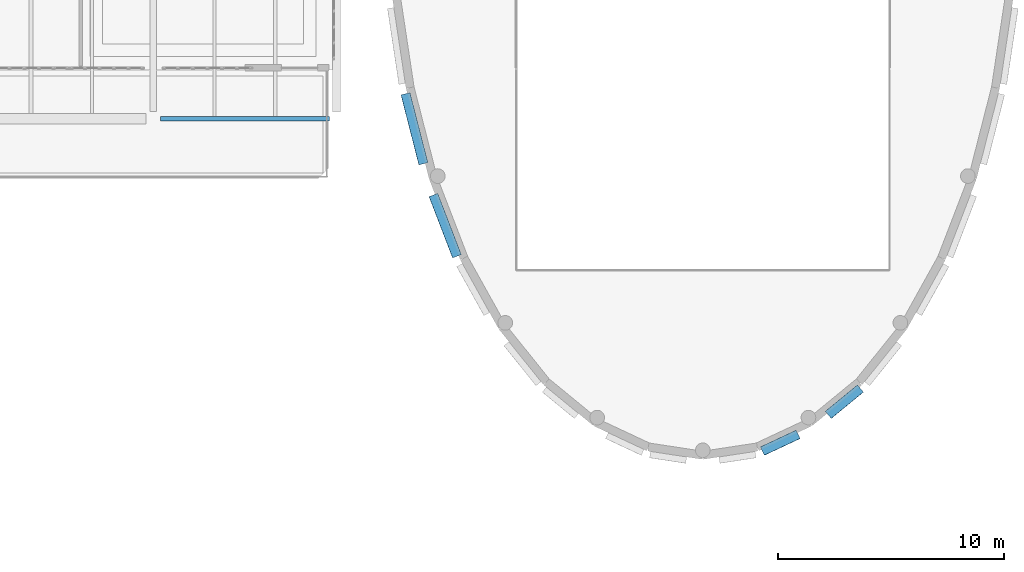
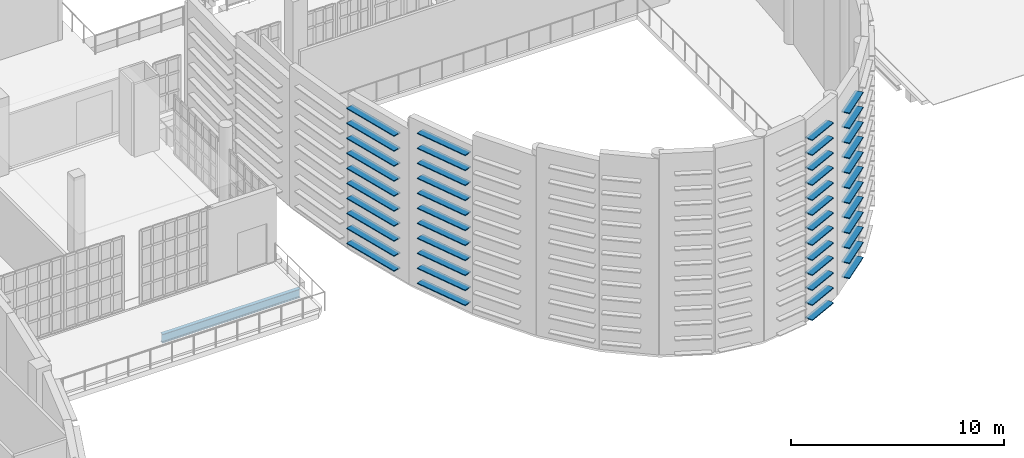
# One storey, part 10 of 73: 46 members, 1 beam.
"""IFC4 building model written with IfcOpenShell, lengths in metres."""

from ifc_helpers import new_model, si_unit, direction, frame, origin, origin_2d, place, context, subcontext, project, spatial, hollow_rectangle, i_section, extrude, material, material_profile, profile_set, type_object, element, save


model = new_model("IFC4")

# Units and contexts
model_context = context("Model", 3, precision=1e-05, world=origin(), true_north=direction((0.0, 1.0)))
body_context = subcontext(model_context, "Body", "Model", "MODEL_VIEW")
ifc_project = project(units=[si_unit("LENGTHUNIT", "METRE"), si_unit("AREAUNIT", "SQUARE_METRE"), si_unit("VOLUMEUNIT", "CUBIC_METRE"), si_unit("PLANEANGLEUNIT", "RADIAN"), si_unit("MASSUNIT", "GRAM", prefix="KILO")], contexts=[model_context])

# Site, building, storey
site_placement = place(None, origin())
site = spatial("IfcSite", under=ifc_project, at=site_placement, CompositionType="ELEMENT")
building_placement = place(site_placement, origin())
building = spatial("IfcBuilding", under=site, at=building_placement, Name="Kaelora Sail Theatre", CompositionType="ELEMENT")
storey_placement = place(building_placement, frame((0.0, 0.0, 10.199951171875)))
storey = spatial("IfcBuildingStorey", under=building, at=storey_placement, Name="L02", CompositionType="ELEMENT", Elevation=10.199951171875)

# Members
ifc_material_1 = material(Name="Anodised aluminium 6063-T6", Category="aluminium")
ifc_material_profile_1 = material_profile(ifc_material_1, hollow_rectangle(XDim=0.419921875, YDim=0.054931640625, WallThickness=0.00390625, InnerFilletRadius=0.00390625, OuterFilletRadius=0.008056640625, at=origin_2d()), Name="LOUVRE 420x55x4")
ifc_profile_set_1 = profile_set([ifc_material_profile_1], Name="Anodised aluminium 6063-T6")
member_type = type_object("IfcMemberType", Name="ARC-MEM-LVR-420", PredefinedType="USERDEFINED", material=ifc_profile_set_1)
for number, where, z_axis, x_axis, name in (
    (1, (97.568359375, 34.21337890625, 0.510009765625), (-0.773004989186, -0.634399942223, 0.0), (0.634399942223, -0.773004989186, 0.0), "Studio Theatre Sail Drum horizontal solar louvre C8-12"),
    (2, (97.568359375, 34.21337890625, 1.3701171875), (-0.773004989186, -0.634399942223, 0.0), (0.634399942223, -0.773004989186, 0.0), "Studio Theatre Sail Drum horizontal solar louvre C8-13"),
    (3, (97.568359375, 34.21337890625, 2.22998046875), (-0.773004989186, -0.634399942223, 0.0), (0.634399942223, -0.773004989186, 0.0), "Studio Theatre Sail Drum horizontal solar louvre C8-14"),
    (4, (97.568359375, 34.21337890625, 3.090087890625), (-0.773004989186, -0.634399942223, 0.0), (0.634399942223, -0.773004989186, 0.0), "Studio Theatre Sail Drum horizontal solar louvre C8-15"),
    (5, (97.568359375, 34.21337890625, 3.949951171875), (-0.773004989186, -0.634399942223, 0.0), (0.634399942223, -0.773004989186, 0.0), "Studio Theatre Sail Drum horizontal solar louvre C8-16"),
    (6, (97.568359375, 34.21337890625, 4.81005859375), (-0.773004989186, -0.634399942223, 0.0), (0.634399942223, -0.773004989186, 0.0), "Studio Theatre Sail Drum horizontal solar louvre C8-17"),
    (7, (97.568359375, 34.21337890625, 5.670166015625), (-0.773004989186, -0.634399942223, 0.0), (0.634399942223, -0.773004989186, 0.0), "Studio Theatre Sail Drum horizontal solar louvre C8-18"),
    (8, (97.568359375, 34.21337890625, 6.530029296875), (-0.773004989186, -0.634399942223, 0.0), (0.634399942223, -0.773004989186, 0.0), "Studio Theatre Sail Drum horizontal solar louvre C8-19"),
    (9, (97.568359375, 34.21337890625, 7.39013671875), (-0.773004989186, -0.634399942223, 0.0), (0.634399942223, -0.773004989186, 0.0), "Studio Theatre Sail Drum horizontal solar louvre C8-20"),
    (10, (97.568359375, 34.21337890625, 8.25), (-0.773004989186, -0.634399942223, 0.0), (0.634399942223, -0.773004989186, 0.0), "Studio Theatre Sail Drum horizontal solar louvre C8-21"),
    (11, (97.568359375, 34.21337890625, 9.110107421875), (-0.773004989186, -0.634399942223, 0.0), (0.634399942223, -0.773004989186, 0.0), "Studio Theatre Sail Drum horizontal solar louvre C8-22"),
    (12, (97.568359375, 34.21337890625, 9.969970703125), (-0.773004989186, -0.634399942223, 0.0), (0.634399942223, -0.773004989186, 0.0), "Studio Theatre Sail Drum horizontal solar louvre C8-23"),
):
    element("IfcMember", number, at=place(storey_placement, frame(where, z_axis=z_axis, x_axis=x_axis)), inside=storey, type_object=member_type, Name=name, ObjectType="LOUVRE", PredefinedType="USERDEFINED", context=body_context, shape_type="SweptSolid", body=[
        extrude(hollow_rectangle(XDim=0.419921875, YDim=0.054931640625, WallThickness=0.00390625, InnerFilletRadius=0.00390625, OuterFilletRadius=0.008056640625, at=origin_2d()), origin(), (0.0, 0.0, 1.0), 1.840576171875),
    ])
for number, where, z_axis, x_axis, name in (
    (13, (94.815185546875, 32.186279296875, 0.130126953125), (-0.905643423999, -0.424040078963, 0.0), (0.424040078963, -0.905643423999, 0.0), "Studio Theatre Sail Drum horizontal solar louvre C9-09"),
    (14, (94.815185546875, 32.186279296875, 0.989990234375), (-0.905643423999, -0.424040078963, 0.0), (0.424040078963, -0.905643423999, 0.0), "Studio Theatre Sail Drum horizontal solar louvre C9-10"),
    (15, (94.815185546875, 32.186279296875, 1.85009765625), (-0.905643423999, -0.424040078963, 0.0), (0.424040078963, -0.905643423999, 0.0), "Studio Theatre Sail Drum horizontal solar louvre C9-11"),
    (16, (94.815185546875, 32.186279296875, 2.7099609375), (-0.905643423999, -0.424040078963, 0.0), (0.424040078963, -0.905643423999, 0.0), "Studio Theatre Sail Drum horizontal solar louvre C9-12"),
    (17, (94.815185546875, 32.186279296875, 3.570068359375), (-0.905643423999, -0.424040078963, 0.0), (0.424040078963, -0.905643423999, 0.0), "Studio Theatre Sail Drum horizontal solar louvre C9-13"),
    (18, (94.815185546875, 32.186279296875, 4.429931640625), (-0.905643423999, -0.424040078963, 0.0), (0.424040078963, -0.905643423999, 0.0), "Studio Theatre Sail Drum horizontal solar louvre C9-14"),
    (19, (94.815185546875, 32.186279296875, 5.2900390625), (-0.905643423999, -0.424040078963, 0.0), (0.424040078963, -0.905643423999, 0.0), "Studio Theatre Sail Drum horizontal solar louvre C9-15"),
    (20, (94.815185546875, 32.186279296875, 6.150146484375), (-0.905643423999, -0.424040078963, 0.0), (0.424040078963, -0.905643423999, 0.0), "Studio Theatre Sail Drum horizontal solar louvre C9-16"),
    (21, (94.815185546875, 32.186279296875, 7.010009765625), (-0.905643423999, -0.424040078963, 0.0), (0.424040078963, -0.905643423999, 0.0), "Studio Theatre Sail Drum horizontal solar louvre C9-17"),
    (22, (94.815185546875, 32.186279296875, 7.8701171875), (-0.905643423999, -0.424040078963, 0.0), (0.424040078963, -0.905643423999, 0.0), "Studio Theatre Sail Drum horizontal solar louvre C9-18"),
    (23, (94.815185546875, 32.186279296875, 8.72998046875), (-0.905643423999, -0.424040078963, 0.0), (0.424040078963, -0.905643423999, 0.0), "Studio Theatre Sail Drum horizontal solar louvre C9-19"),
    (24, (94.815185546875, 32.186279296875, 9.590087890625), (-0.905643423999, -0.424040078963, 0.0), (0.424040078963, -0.905643423999, 0.0), "Studio Theatre Sail Drum horizontal solar louvre C9-20"),
    (25, (94.815185546875, 32.186279296875, 10.449951171875), (-0.905643423999, -0.424040078963, 0.0), (0.424040078963, -0.905643423999, 0.0), "Studio Theatre Sail Drum horizontal solar louvre C9-21"),
):
    element("IfcMember", number, at=place(storey_placement, frame(where, z_axis=z_axis, x_axis=x_axis)), inside=storey, type_object=member_type, Name=name, ObjectType="LOUVRE", PredefinedType="USERDEFINED", context=body_context, shape_type="SweptSolid", body=[
        extrude(hollow_rectangle(XDim=0.419921875, YDim=0.054931640625, WallThickness=0.00390625, InnerFilletRadius=0.00390625, OuterFilletRadius=0.008056640625, at=origin_2d()), origin(), (0.0, 0.0, 1.0), 1.747314453125),
    ])
for number, where, z_axis, x_axis, name in (
    (26, (79.73095703125, 40.060546875, 0.510009765625), (-0.359300533741, 0.93322190633, 0.0), (-0.93322190633, -0.359300533741, 0.0), "Studio Theatre Sail Drum horizontal solar louvre C16-12"),
    (27, (79.73095703125, 40.060546875, 1.3701171875), (-0.359300533741, 0.93322190633, 0.0), (-0.93322190633, -0.359300533741, 0.0), "Studio Theatre Sail Drum horizontal solar louvre C16-13"),
    (28, (79.73095703125, 40.060546875, 2.22998046875), (-0.359300533741, 0.93322190633, 0.0), (-0.93322190633, -0.359300533741, 0.0), "Studio Theatre Sail Drum horizontal solar louvre C16-14"),
    (29, (79.73095703125, 40.060546875, 3.090087890625), (-0.359300533741, 0.93322190633, 0.0), (-0.93322190633, -0.359300533741, 0.0), "Studio Theatre Sail Drum horizontal solar louvre C16-15"),
    (30, (79.73095703125, 40.060546875, 3.949951171875), (-0.359300533741, 0.93322190633, 0.0), (-0.93322190633, -0.359300533741, 0.0), "Studio Theatre Sail Drum horizontal solar louvre C16-16"),
    (31, (79.73095703125, 40.060546875, 4.81005859375), (-0.359300533741, 0.93322190633, 0.0), (-0.93322190633, -0.359300533741, 0.0), "Studio Theatre Sail Drum horizontal solar louvre C16-17"),
    (32, (79.73095703125, 40.060546875, 5.670166015625), (-0.359300533741, 0.93322190633, 0.0), (-0.93322190633, -0.359300533741, 0.0), "Studio Theatre Sail Drum horizontal solar louvre C16-18"),
    (33, (79.73095703125, 40.060546875, 6.530029296875), (-0.359300533741, 0.93322190633, 0.0), (-0.93322190633, -0.359300533741, 0.0), "Studio Theatre Sail Drum horizontal solar louvre C16-19"),
    (34, (79.73095703125, 40.060546875, 7.39013671875), (-0.359300533741, 0.93322190633, 0.0), (-0.93322190633, -0.359300533741, 0.0), "Studio Theatre Sail Drum horizontal solar louvre C16-20"),
    (35, (79.73095703125, 40.060546875, 8.25), (-0.359300533741, 0.93322190633, 0.0), (-0.93322190633, -0.359300533741, 0.0), "Studio Theatre Sail Drum horizontal solar louvre C16-21"),
    (36, (79.73095703125, 40.060546875, 9.110107421875), (-0.359300533741, 0.93322190633, 0.0), (-0.93322190633, -0.359300533741, 0.0), "Studio Theatre Sail Drum horizontal solar louvre C16-22"),
):
    element("IfcMember", number, at=place(storey_placement, frame(where, z_axis=z_axis, x_axis=x_axis)), inside=storey, type_object=member_type, Name=name, ObjectType="LOUVRE", PredefinedType="USERDEFINED", context=body_context, shape_type="SweptSolid", body=[
        extrude(hollow_rectangle(XDim=0.419921875, YDim=0.054931640625, WallThickness=0.00390625, InnerFilletRadius=0.00390625, OuterFilletRadius=0.008056640625, at=origin_2d()), origin(), (0.0, 0.0, 1.0), 2.900634765625),
    ])
for number, where, z_axis, x_axis, name in (
    (37, (78.2470703125, 44.150634765625, 0.510009765625), (-0.24769312213, 0.968838540341, 0.0), (-0.968838540341, -0.24769312213, 0.0), "Studio Theatre Sail Drum horizontal solar louvre C17-12"),
    (38, (78.2470703125, 44.150634765625, 1.3701171875), (-0.24769312213, 0.968838540341, 0.0), (-0.968838540341, -0.24769312213, 0.0), "Studio Theatre Sail Drum horizontal solar louvre C17-13"),
    (39, (78.2470703125, 44.150634765625, 2.22998046875), (-0.24769312213, 0.968838540341, 0.0), (-0.968838540341, -0.24769312213, 0.0), "Studio Theatre Sail Drum horizontal solar louvre C17-14"),
    (40, (78.2470703125, 44.150634765625, 3.090087890625), (-0.24769312213, 0.968838540341, 0.0), (-0.968838540341, -0.24769312213, 0.0), "Studio Theatre Sail Drum horizontal solar louvre C17-15"),
    (41, (78.2470703125, 44.150634765625, 3.949951171875), (-0.24769312213, 0.968838540341, 0.0), (-0.968838540341, -0.24769312213, 0.0), "Studio Theatre Sail Drum horizontal solar louvre C17-16"),
    (42, (78.2470703125, 44.150634765625, 4.81005859375), (-0.24769312213, 0.968838540341, 0.0), (-0.968838540341, -0.24769312213, 0.0), "Studio Theatre Sail Drum horizontal solar louvre C17-17"),
    (43, (78.2470703125, 44.150634765625, 5.670166015625), (-0.24769312213, 0.968838540341, 0.0), (-0.968838540341, -0.24769312213, 0.0), "Studio Theatre Sail Drum horizontal solar louvre C17-18"),
    (44, (78.2470703125, 44.150634765625, 6.530029296875), (-0.24769312213, 0.968838540341, 0.0), (-0.968838540341, -0.24769312213, 0.0), "Studio Theatre Sail Drum horizontal solar louvre C17-19"),
    (45, (78.2470703125, 44.150634765625, 7.39013671875), (-0.24769312213, 0.968838540341, 0.0), (-0.968838540341, -0.24769312213, 0.0), "Studio Theatre Sail Drum horizontal solar louvre C17-20"),
    (46, (78.2470703125, 44.150634765625, 8.25), (-0.24769312213, 0.968838540341, 0.0), (-0.968838540341, -0.24769312213, 0.0), "Studio Theatre Sail Drum horizontal solar louvre C17-21"),
):
    element("IfcMember", number, at=place(storey_placement, frame(where, z_axis=z_axis, x_axis=x_axis)), inside=storey, type_object=member_type, Name=name, ObjectType="LOUVRE", PredefinedType="USERDEFINED", context=body_context, shape_type="SweptSolid", body=[
        extrude(hollow_rectangle(XDim=0.419921875, YDim=0.054931640625, WallThickness=0.00390625, InnerFilletRadius=0.00390625, OuterFilletRadius=0.008056640625, at=origin_2d()), origin(), (0.0, 0.0, 1.0), 3.194580078125),
    ])

# Beam
ifc_material_2 = material(Name="Steel S355", Category="steel")
ifc_material_profile_2 = material_profile(ifc_material_2, i_section(OverallWidth=0.199951171875, OverallDepth=0.5, WebThickness=0.01025390625, FlangeThickness=0.01611328125, FilletRadius=0.02099609375, at=origin_2d()), Name="IPE 500")
ifc_profile_set_2 = profile_set([ifc_material_profile_2], Name="Steel S355")
beam_type = type_object("IfcBeamType", Name="STR-BM-BM-IPE500", PredefinedType="BEAM", material=ifc_profile_set_2)
beam_placement = place(storey_placement, frame((66.625, 46.139892578125, -0.544921875), z_axis=(1.0, 0.0, 0.0), x_axis=(0.0, 1.0, 0.0)))
element("IfcBeam", 47, at=beam_placement, inside=storey, type_object=beam_type, Name="Primary beam G 9-10 (L02)", PredefinedType="BEAM", context=body_context, shape_type="SweptSolid", body=[
    extrude(i_section(OverallWidth=0.199951171875, OverallDepth=0.5, WebThickness=0.01025390625, FlangeThickness=0.01611328125, FilletRadius=0.02099609375, at=origin_2d()), origin(), (0.0, 0.0, 1.0), 7.47509765625),
])

save(model, "model.ifc")
